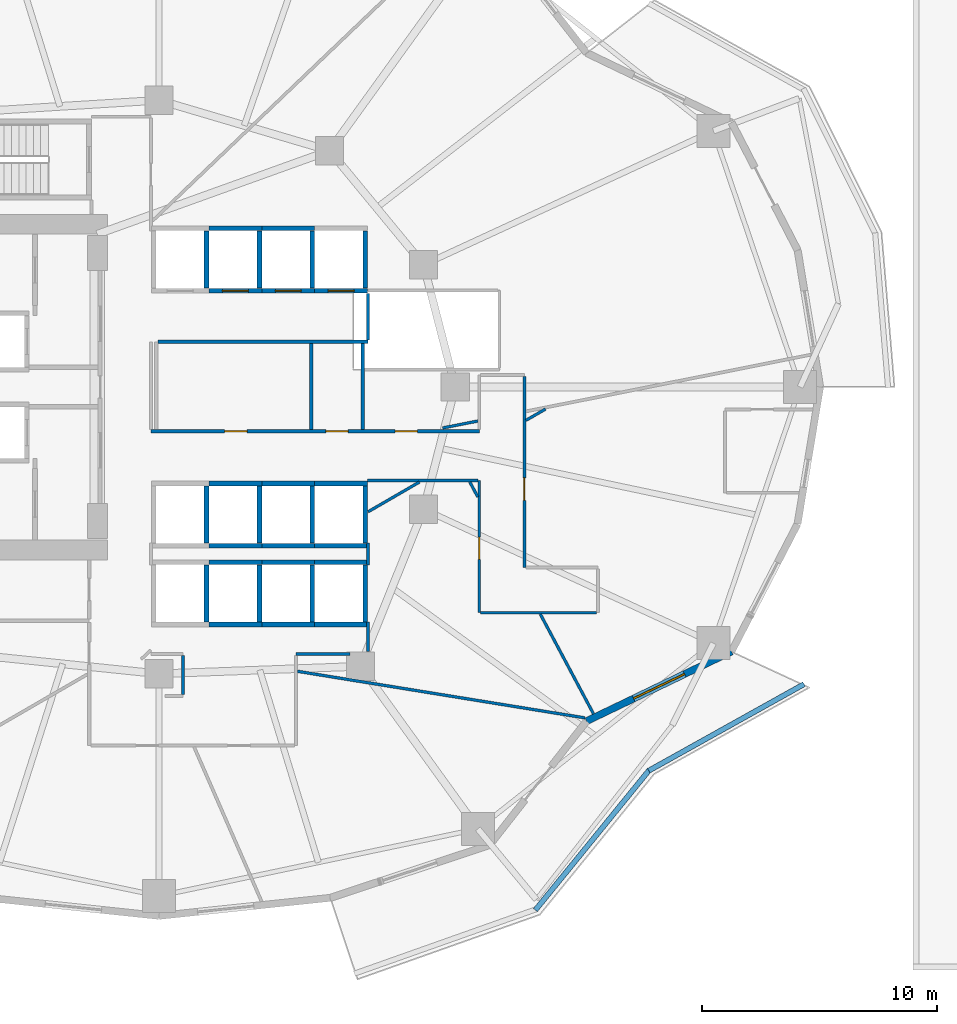
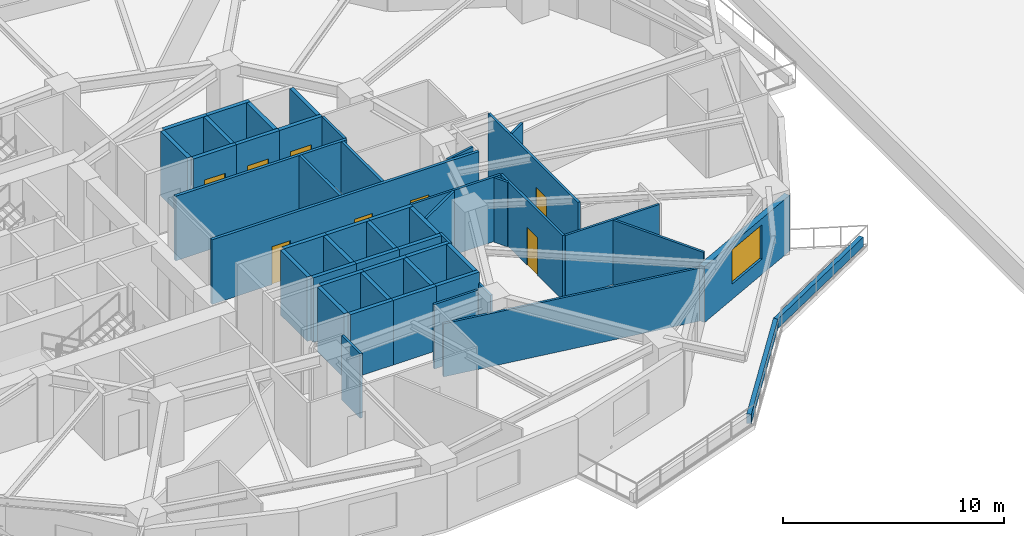
# One storey, part 5 of 13: 51 walls, 8 doors, 1 window, 9 openings.
"""IFC4 building model written with IfcOpenShell, lengths in metres."""

from ifc_helpers import new_model, si_unit, direction, frame, frame_2d, origin, place, context, subcontext, project, spatial, rectangle, extrude, material, layer, layer_set, type_object, element, fill, save


model = new_model("IFC4")

# Units and contexts
model_context = context("Model", 3, precision=1e-05, world=origin(), true_north=direction((0.0, 1.0)))
body_context = subcontext(model_context, "Body", "Model", "MODEL_VIEW")
ifc_project = project(units=[si_unit("LENGTHUNIT", "METRE"), si_unit("AREAUNIT", "SQUARE_METRE"), si_unit("VOLUMEUNIT", "CUBIC_METRE"), si_unit("PLANEANGLEUNIT", "RADIAN"), si_unit("MASSUNIT", "GRAM", prefix="KILO")], contexts=[model_context])

# Site, building, storey
site_placement = place(None, origin())
site = spatial("IfcSite", under=ifc_project, at=site_placement, CompositionType="ELEMENT")
building_placement = place(site_placement, origin())
building = spatial("IfcBuilding", under=site, at=building_placement, Name="Kolvaren Gate Tower and Convention Centre", CompositionType="ELEMENT")
storey_placement = place(building_placement, frame((0.0, 0.0, 26.5)))
storey = spatial("IfcBuildingStorey", under=building, at=storey_placement, Name="L05", CompositionType="ELEMENT", Elevation=26.5)

# Walls
ifc_material_1 = material(Name="Fire-Rated Acoustic Gypsum Stud Partition", Category="gypsum")
ifc_layer_1 = layer(ifc_material_1, 0.1201171875)
ifc_layer_set_1 = layer_set([ifc_layer_1], Name="Fire-Rated Acoustic Gypsum Stud Partition")
wall_type_1 = type_object("IfcWallType", Name="ARCH-WL-PART-120", PredefinedType="PARTITIONING", material=ifc_layer_set_1)
wall_1_placement = place(storey_placement, frame((35.949951171875, 15.64990234375, 0.0), z_axis=(0.0, 0.0, 1.0), x_axis=(1.0, 0.0, 0.0)))
element("IfcWall", 1, at=wall_1_placement, inside=storey, type_object=wall_type_1, Name="Interior Partition WL-L05-INT-018", PredefinedType="PARTITIONING", context=body_context, shape_type="SweptSolid", body=[
    extrude(rectangle(XDim=2.291015625, YDim=0.1201171875, at=frame_2d((1.1455078125, 0.0))), origin(), (0.0, 0.0, 1.0), 3.570068359375),
])
wall_2_placement = place(storey_placement, frame((39.02001953125, 15.741943359375, 0.0), z_axis=(0.0, 0.0, 1.0), x_axis=(0.0, 1.0, 0.0)))
element("IfcWall", 2, at=wall_2_placement, inside=storey, type_object=wall_type_1, Name="Interior Partition WL-L05-INT-026", PredefinedType="PARTITIONING", context=body_context, shape_type="SweptSolid", body=[
    extrude(rectangle(XDim=1.26806640625, YDim=0.1201171875, at=frame_2d((0.634033203125, 0.0))), origin(), (0.0, 0.0, 1.0), 2.93408203125),
])
wall_3_placement = place(storey_placement, frame((39.02001953125, 19.43994140625, 0.0), z_axis=(0.0, 0.0, 1.0), x_axis=(0.0, 1.0, 0.0)))
element("IfcWall", 3, at=wall_3_placement, inside=storey, type_object=wall_type_1, Name="Interior Partition WL-L05-INT-026 (2)", PredefinedType="PARTITIONING", context=body_context, shape_type="SweptSolid", body=[
    extrude(rectangle(XDim=0.920166015625, YDim=0.1201171875, at=frame_2d((0.4599609375, 0.0))), origin(), (0.0, 0.0, 1.0), 3.570068359375),
])
wall_4_placement = place(storey_placement, frame((39.02001953125, 28.9970703125, 0.0), z_axis=(0.0, 0.0, 1.0), x_axis=(0.0, 1.0, 0.0)))
element("IfcWall", 4, at=wall_4_placement, inside=storey, type_object=wall_type_1, Name="Interior Partition WL-L05-INT-027", PredefinedType="PARTITIONING", context=body_context, shape_type="SweptSolid", body=[
    extrude(rectangle(XDim=1.98291015625, YDim=0.1201171875, at=frame_2d((0.991455078125, 0.0))), origin(), (0.0, 0.0, 1.0), 3.570068359375),
])

# Wall, opening, door
wall_5_placement = place(storey_placement, frame((43.75, 17.39990234375, 0.0), z_axis=(0.0, 0.0, 1.0), x_axis=(0.0, 1.0, 0.0)))
wall_5 = element("IfcWall", 5, at=wall_5_placement, inside=storey, type_object=wall_type_1, Name="Interior Partition WL-L05-INT-028", PredefinedType="PARTITIONING", context=body_context, shape_type="SweptSolid", body=[
    extrude(rectangle(XDim=5.6201171875, YDim=0.1201171875, at=frame_2d((2.81005859375, 0.0))), origin(), (0.0, 0.0, 1.0), 3.570068359375),
])
opening_1_placement = place(wall_5_placement, frame((2.26904296875, 0.0, 0.0)))
opening_1 = element("IfcOpeningElement", 6, at=opening_1_placement, cuts=wall_5, Name="Opening DR-01", PredefinedType="OPENING", context=body_context, shape_type="SweptSolid", body=[
    extrude(rectangle(XDim=0.949951171875, YDim=2.10009765625, at=frame_2d((0.47509765625, 1.050048828125))), frame((0.0, 0.070068359375, 0.0), z_axis=(0.0, -1.0, 0.0), x_axis=(1.0, 0.0, 0.0)), (0.0, 0.0, 1.0), 0.14013671875),
])
ifc_material_2 = material(Name="Painted Architectural Steelwork ASTM A500 Grade C 345 MPa", Category="steel")
door_type_1 = type_object("IfcDoorType", Name="ARCH-DR-RISER-950", OperationType="SINGLE_SWING_RIGHT", PredefinedType="DOOR", material=ifc_material_2)
door_1_placement = place(opening_1_placement, origin())
door_1 = element("IfcDoor", 7, at=door_1_placement, inside=storey, type_object=door_type_1, Name="Tenant Cellular Office Door", OperationType="SINGLE_SWING_RIGHT", OverallHeight=2.10009765625, OverallWidth=0.949951171875, PredefinedType="DOOR", context=body_context, shape_type="SweptSolid", body=[
    extrude(rectangle(XDim=0.949951171875, YDim=2.10009765625, at=frame_2d((0.47509765625, 1.050048828125))), frame((0.0, 0.02490234375, 0.0), z_axis=(0.0, -1.0, 0.0), x_axis=(1.0, 0.0, 0.0)), (0.0, 0.0, 1.0), 0.050048828125),
])
fill(opening_1, door_1)

wall_6_placement = place(storey_placement, frame((45.669921875, 19.320068359375, 0.0), z_axis=(0.0, 0.0, 1.0), x_axis=(0.0, 1.0, 0.0)))
wall_6 = element("IfcWall", 8, at=wall_6_placement, inside=storey, type_object=wall_type_1, Name="Interior Partition WL-L05-INT-032", PredefinedType="PARTITIONING", context=body_context, shape_type="SweptSolid", body=[
    extrude(rectangle(XDim=8.1279296875, YDim=0.1201171875, at=frame_2d((4.06396484375, 0.0))), origin(), (0.0, 0.0, 1.0), 3.570068359375),
])
opening_2_placement = place(wall_6_placement, frame((2.861083984375, 0.0, 0.0)))
opening_2 = element("IfcOpeningElement", 9, at=opening_2_placement, cuts=wall_6, Name="Opening DR-01", PredefinedType="OPENING", context=body_context, shape_type="SweptSolid", body=[
    extrude(rectangle(XDim=0.949951171875, YDim=2.10009765625, at=frame_2d((0.47509765625, 1.050048828125))), frame((0.0, 0.070068359375, 0.0), z_axis=(0.0, -1.0, 0.0), x_axis=(1.0, 0.0, 0.0)), (0.0, 0.0, 1.0), 0.14013671875),
])
door_2_placement = place(opening_2_placement, origin())
door_2 = element("IfcDoor", 10, at=door_2_placement, inside=storey, type_object=door_type_1, Name="Open-Plan Office Suite Door", OperationType="SINGLE_SWING_LEFT", OverallHeight=2.10009765625, OverallWidth=0.949951171875, PredefinedType="DOOR", context=body_context, shape_type="SweptSolid", body=[
    extrude(rectangle(XDim=0.949951171875, YDim=2.10009765625, at=frame_2d((0.47509765625, 1.050048828125))), frame((0.0, 0.02490234375, 0.0), z_axis=(0.0, -1.0, 0.0), x_axis=(1.0, 0.0, 0.0)), (0.0, 0.0, 1.0), 0.050048828125),
])
fill(opening_2, door_2)

# Walls
wall_7_placement = place(storey_placement, frame((43.81201171875, 17.39990234375, 0.0), z_axis=(0.0, 0.0, 1.0), x_axis=(1.0, 0.0, 0.0)))
element("IfcWall", 11, at=wall_7_placement, inside=storey, type_object=wall_type_1, Name="Interior Partition WL-L05-INT-035", PredefinedType="PARTITIONING", context=body_context, shape_type="SweptSolid", body=[
    extrude(rectangle(XDim=4.926025390625, YDim=0.1201171875, at=frame_2d((2.462890625, 0.0))), origin(), (0.0, 0.0, 1.0), 3.570068359375),
])
wall_8_placement = place(storey_placement, frame((39.0, 23.02001953125, 0.0), z_axis=(0.0, 0.0, 1.0), x_axis=(1.0, 0.0, 0.0)))
element("IfcWall", 12, at=wall_8_placement, inside=storey, type_object=wall_type_1, Name="Interior Partition WL-L05-INT-036", PredefinedType="PARTITIONING", context=body_context, shape_type="SweptSolid", body=[
    extrude(rectangle(XDim=4.68798828125, YDim=0.1201171875, at=frame_2d((2.343994140625, 0.0))), origin(), (0.0, 0.0, 1.0), 3.570068359375),
])
wall_9_placement = place(storey_placement, frame((31.14990234375, 13.912109375, 0.0), z_axis=(0.0, 0.0, 1.0), x_axis=(0.0, 1.0, 0.0)))
element("IfcWall", 13, at=wall_9_placement, inside=storey, type_object=wall_type_1, Name="Interior Partition WL-L05-INT-039", PredefinedType="PARTITIONING", context=body_context, shape_type="SweptSolid", body=[
    extrude(rectangle(XDim=1.67578125, YDim=0.1201171875, at=frame_2d((0.837890625, 0.0))), origin(), (0.0, 0.0, 1.0), 3.570068359375),
])
wall_10_placement = place(storey_placement, frame((42.190673828125, 25.257080078125, 0.0), z_axis=(0.0, 0.0, 1.0), x_axis=(0.980752512692, 0.195254984183, 0.0)))
element("IfcWall", 14, at=wall_10_placement, inside=storey, type_object=wall_type_1, Name="Interior Partition WL-L05-INT-041", PredefinedType="PARTITIONING", context=body_context, shape_type="SweptSolid", body=[
    extrude(rectangle(XDim=1.526611328125, YDim=0.1201171875, at=frame_2d((0.76318359375, 0.0))), origin(), (0.0, 0.0, 1.0), 3.570068359375),
])
wall_11_placement = place(storey_placement, frame((39.02001953125, 21.69384765625, 0.0), z_axis=(0.0, 0.0, 1.0), x_axis=(0.865382109932, 0.501112566006, 0.0)))
element("IfcWall", 15, at=wall_11_placement, inside=storey, type_object=wall_type_1, Name="Interior Partition WL-L05-INT-044", PredefinedType="PARTITIONING", context=body_context, shape_type="SweptSolid", body=[
    extrude(rectangle(XDim=2.522705078125, YDim=0.1201171875, at=frame_2d((1.26123046875, 0.0))), origin(), (0.0, 0.0, 1.0), 3.570068359375),
])
wall_12_placement = place(storey_placement, frame((45.73193359375, 25.58056640625, 0.0), z_axis=(0.0, 0.0, 1.0), x_axis=(0.865374506058, 0.501125697071, 0.0)))
element("IfcWall", 16, at=wall_12_placement, inside=storey, type_object=wall_type_1, Name="Interior Partition WL-L05-INT-045", PredefinedType="PARTITIONING", context=body_context, shape_type="SweptSolid", body=[
    extrude(rectangle(XDim=0.968505859375, YDim=0.1201171875, at=frame_2d((0.484375, 0.0))), origin(), (0.0, 0.0, 1.0), 3.570068359375),
])
wall_13_placement = place(storey_placement, frame((36.011962890625, 14.907958984375, 0.0), z_axis=(0.0, 0.0, 1.0), x_axis=(0.987115987943, -0.16000633221, 0.0)))
element("IfcWall", 17, at=wall_13_placement, inside=storey, type_object=wall_type_1, Name="Interior Partition WL-L05-INT-050", PredefinedType="PARTITIONING", context=body_context, shape_type="SweptSolid", body=[
    extrude(rectangle(XDim=12.397216796875, YDim=0.1201171875, at=frame_2d((6.19873046875, 0.0))), origin(), (0.0, 0.0, 1.0), 2.93408203125),
])
wall_14_placement = place(storey_placement, frame((43.35009765625, 22.9580078125, 0.0), z_axis=(0.0, 0.0, 1.0), x_axis=(0.470447086679, -0.882428205938, 0.0)))
element("IfcWall", 18, at=wall_14_placement, inside=storey, type_object=wall_type_1, Name="Interior Partition WL-L05-INT-051", PredefinedType="PARTITIONING", context=body_context, shape_type="SweptSolid", body=[
    extrude(rectangle(XDim=0.71826171875, YDim=0.1201171875, at=frame_2d((0.359130859375, 0.0))), origin(), (0.0, 0.0, 1.0), 3.570068359375),
])
wall_15_placement = place(storey_placement, frame((46.346923828125, 17.337890625, 0.0), z_axis=(0.0, 0.0, 1.0), x_axis=(0.470506505613, -0.882396525478, 0.0)))
element("IfcWall", 19, at=wall_15_placement, inside=storey, type_object=wall_type_1, Name="Interior Partition WL-L05-INT-052", PredefinedType="PARTITIONING", context=body_context, shape_type="SweptSolid", body=[
    extrude(rectangle(XDim=4.806396484375, YDim=0.1201171875, at=frame_2d((2.4033203125, 0.0))), origin(), (0.0, 0.0, 1.0), 3.570068359375),
])
ifc_material_3 = material(Name="Piedmont Cream Honed Limestone Cladding", Category="masonry")
ifc_layer_2 = layer(ifc_material_3, 0.219970703125)
ifc_layer_set_2 = layer_set([ifc_layer_2], Name="Piedmont Cream Honed Limestone Cladding")
wall_type_2 = type_object("IfcWallType", Name="ARCH-WL-PLANTER-220", PredefinedType="PARAPET", material=ifc_layer_set_2)
wall_16_placement = place(storey_placement, frame((46.1357421875, 4.748779296875, 0.0), z_axis=(0.0, 0.0, 1.0), x_axis=(0.630997450658, 0.775784903993, 0.0)))
element("IfcWall", 20, at=wall_16_placement, inside=storey, type_object=wall_type_2, Name="Vertical-Forest Balcony Stone Planter Kerb PK-L05-4.2", PredefinedType="PARAPET", context=body_context, shape_type="SweptSolid", body=[
    extrude(rectangle(XDim=7.7177734375, YDim=0.219970703125, at=frame_2d((3.85888671875, 0.0))), origin(), (0.0, 0.0, 1.0), 0.52001953125),
])
wall_17_placement = place(storey_placement, frame((50.959228515625, 10.677978515625, 0.0), z_axis=(0.0, 0.0, 1.0), x_axis=(0.873500119739, 0.48682393205, 0.0)))
element("IfcWall", 21, at=wall_17_placement, inside=storey, type_object=wall_type_2, Name="Vertical-Forest Balcony Stone Planter Kerb PK-L05-4.3", PredefinedType="PARAPET", context=body_context, shape_type="SweptSolid", body=[
    extrude(rectangle(XDim=7.56201171875, YDim=0.219970703125, at=frame_2d((3.781005859375, 0.0))), origin(), (0.0, 0.0, 1.0), 0.52001953125),
])
ifc_material_4 = material(Name="Autoclaved Aerated Masonry Blockwork Class 4 (4.0 MPa)", Category="masonry")
ifc_layer_3 = layer(ifc_material_4, 0.199951171875)
ifc_layer_set_3 = layer_set([ifc_layer_3], Name="Autoclaved Aerated Masonry Blockwork Class 4 (4.0 MPa)")
wall_type_3 = type_object("IfcWallType", Name="ARCH-WL-SHAFT-200", PredefinedType="SOLIDWALL", material=ifc_layer_set_3)
wall_18_placement = place(storey_placement, frame((32.14990234375, 31.2099609375, 0.0), z_axis=(0.0, 0.0, 1.0), x_axis=(0.0, 1.0, 0.0)))
element("IfcWall", 22, at=wall_18_placement, inside=storey, type_object=wall_type_3, Name="Elevator PL-01 L05 Fire Shaft Wall E", PredefinedType="SOLIDWALL", context=body_context, shape_type="SweptSolid", body=[
    extrude(rectangle(XDim=2.429931640625, YDim=0.199951171875, at=frame_2d((1.21484375, 0.0))), origin(), (0.0, 0.0, 1.0), 3.570068359375),
])
wall_19_placement = place(storey_placement, frame((32.25, 33.75, 0.0), z_axis=(0.0, 0.0, 1.0), x_axis=(1.0, 0.0, 0.0)))
element("IfcWall", 23, at=wall_19_placement, inside=storey, type_object=wall_type_3, Name="Elevator PL-02 L05 Fire Shaft Wall N", PredefinedType="SOLIDWALL", context=body_context, shape_type="SweptSolid", body=[
    extrude(rectangle(XDim=2.25, YDim=0.199951171875, at=frame_2d((1.125, 0.0))), origin(), (0.0, 0.0, 1.0), 3.570068359375),
])

# Wall, opening, door
wall_20_placement = place(storey_placement, frame((32.25, 31.10009765625, 0.0), z_axis=(0.0, 0.0, 1.0), x_axis=(1.0, 0.0, 0.0)))
wall_20 = element("IfcWall", 24, at=wall_20_placement, inside=storey, type_object=wall_type_3, Name="Elevator PL-02 L05 Fire Shaft Wall S", PredefinedType="SOLIDWALL", context=body_context, shape_type="SweptSolid", body=[
    extrude(rectangle(XDim=2.25, YDim=0.199951171875, at=frame_2d((1.125, 0.0))), origin(), (0.0, 0.0, 1.0), 3.570068359375),
])
opening_3_placement = place(wall_20_placement, frame((0.574951171875, 0.0, 0.0)))
opening_3 = element("IfcOpeningElement", 25, at=opening_3_placement, cuts=wall_20, Name="Opening LD", PredefinedType="OPENING", context=body_context, shape_type="SweptSolid", body=[
    extrude(rectangle(XDim=1.10009765625, YDim=2.199951171875, at=frame_2d((0.550048828125, 1.10009765625))), frame((0.0, 0.10986328125, 0.0), z_axis=(0.0, -1.0, 0.0), x_axis=(1.0, 0.0, 0.0)), (0.0, 0.0, 1.0), 0.219970703125),
])
ifc_material_5 = material(Name="Brushed Stainless Steel Grade 316L", Category="steel")
door_type_2 = type_object("IfcDoorType", Name="ARCH-DR-LIFT-1100", OperationType="SLIDING_TO_LEFT", PredefinedType="DOOR", material=ifc_material_5)
door_3_placement = place(opening_3_placement, origin())
door_3 = element("IfcDoor", 26, at=door_3_placement, inside=storey, type_object=door_type_2, Name="Elevator PL-02 L05 Sliding Landing Door", OperationType="SLIDING_TO_LEFT", OverallHeight=2.199951171875, OverallWidth=1.10009765625, PredefinedType="DOOR", context=body_context, shape_type="SweptSolid", body=[
    extrude(rectangle(XDim=1.10009765625, YDim=2.199951171875, at=frame_2d((0.550048828125, 1.10009765625))), frame((0.0, 0.02490234375, 0.0), z_axis=(0.0, -1.0, 0.0), x_axis=(1.0, 0.0, 0.0)), (0.0, 0.0, 1.0), 0.050048828125),
])
fill(opening_3, door_3)

# Walls
wall_21_placement = place(storey_placement, frame((34.39990234375, 31.2099609375, 0.0), z_axis=(0.0, 0.0, 1.0), x_axis=(0.0, 1.0, 0.0)))
element("IfcWall", 27, at=wall_21_placement, inside=storey, type_object=wall_type_3, Name="Elevator PL-02 L05 Fire Shaft Wall E", PredefinedType="SOLIDWALL", context=body_context, shape_type="SweptSolid", body=[
    extrude(rectangle(XDim=2.429931640625, YDim=0.199951171875, at=frame_2d((1.21484375, 0.0))), origin(), (0.0, 0.0, 1.0), 3.570068359375),
])
wall_22_placement = place(storey_placement, frame((34.5, 33.75, 0.0), z_axis=(0.0, 0.0, 1.0), x_axis=(1.0, 0.0, 0.0)))
element("IfcWall", 28, at=wall_22_placement, inside=storey, type_object=wall_type_3, Name="Elevator PL-03 L05 Fire Shaft Wall N", PredefinedType="SOLIDWALL", context=body_context, shape_type="SweptSolid", body=[
    extrude(rectangle(XDim=2.25, YDim=0.199951171875, at=frame_2d((1.125, 0.0))), origin(), (0.0, 0.0, 1.0), 3.570068359375),
])

# Wall, opening, door
wall_23_placement = place(storey_placement, frame((34.5, 31.10009765625, 0.0), z_axis=(0.0, 0.0, 1.0), x_axis=(1.0, 0.0, 0.0)))
wall_23 = element("IfcWall", 29, at=wall_23_placement, inside=storey, type_object=wall_type_3, Name="Elevator PL-03 L05 Fire Shaft Wall S", PredefinedType="SOLIDWALL", context=body_context, shape_type="SweptSolid", body=[
    extrude(rectangle(XDim=2.25, YDim=0.199951171875, at=frame_2d((1.125, 0.0))), origin(), (0.0, 0.0, 1.0), 3.570068359375),
])
opening_4_placement = place(wall_23_placement, frame((0.574951171875, 0.0, 0.0)))
opening_4 = element("IfcOpeningElement", 30, at=opening_4_placement, cuts=wall_23, Name="Opening LD", PredefinedType="OPENING", context=body_context, shape_type="SweptSolid", body=[
    extrude(rectangle(XDim=1.10009765625, YDim=2.199951171875, at=frame_2d((0.550048828125, 1.10009765625))), frame((0.0, 0.10986328125, 0.0), z_axis=(0.0, -1.0, 0.0), x_axis=(1.0, 0.0, 0.0)), (0.0, 0.0, 1.0), 0.219970703125),
])
door_4_placement = place(opening_4_placement, origin())
door_4 = element("IfcDoor", 31, at=door_4_placement, inside=storey, type_object=door_type_2, Name="Elevator PL-03 L05 Sliding Landing Door", OperationType="SLIDING_TO_LEFT", OverallHeight=2.199951171875, OverallWidth=1.10009765625, PredefinedType="DOOR", context=body_context, shape_type="SweptSolid", body=[
    extrude(rectangle(XDim=1.10009765625, YDim=2.199951171875, at=frame_2d((0.550048828125, 1.10009765625))), frame((0.0, 0.02490234375, 0.0), z_axis=(0.0, -1.0, 0.0), x_axis=(1.0, 0.0, 0.0)), (0.0, 0.0, 1.0), 0.050048828125),
])
fill(opening_4, door_4)

# Wall
wall_24_placement = place(storey_placement, frame((36.64990234375, 31.2099609375, 0.0), z_axis=(0.0, 0.0, 1.0), x_axis=(0.0, 1.0, 0.0)))
element("IfcWall", 32, at=wall_24_placement, inside=storey, type_object=wall_type_3, Name="Elevator PL-03 L05 Fire Shaft Wall E", PredefinedType="SOLIDWALL", context=body_context, shape_type="SweptSolid", body=[
    extrude(rectangle(XDim=2.429931640625, YDim=0.199951171875, at=frame_2d((1.21484375, 0.0))), origin(), (0.0, 0.0, 1.0), 3.570068359375),
])

# Wall, opening, door
wall_25_placement = place(storey_placement, frame((36.75, 31.10009765625, 0.0), z_axis=(0.0, 0.0, 1.0), x_axis=(1.0, 0.0, 0.0)))
wall_25 = element("IfcWall", 33, at=wall_25_placement, inside=storey, type_object=wall_type_3, Name="Elevator PL-04 L05 Fire Shaft Wall S", PredefinedType="SOLIDWALL", context=body_context, shape_type="SweptSolid", body=[
    extrude(rectangle(XDim=2.25, YDim=0.199951171875, at=frame_2d((1.125, 0.0))), origin(), (0.0, 0.0, 1.0), 3.570068359375),
])
opening_5_placement = place(wall_25_placement, frame((0.574951171875, 0.0, 0.0)))
opening_5 = element("IfcOpeningElement", 34, at=opening_5_placement, cuts=wall_25, Name="Opening LD", PredefinedType="OPENING", context=body_context, shape_type="SweptSolid", body=[
    extrude(rectangle(XDim=1.10009765625, YDim=2.199951171875, at=frame_2d((0.550048828125, 1.10009765625))), frame((0.0, 0.10986328125, 0.0), z_axis=(0.0, -1.0, 0.0), x_axis=(1.0, 0.0, 0.0)), (0.0, 0.0, 1.0), 0.219970703125),
])
door_5_placement = place(opening_5_placement, origin())
door_5 = element("IfcDoor", 35, at=door_5_placement, inside=storey, type_object=door_type_2, Name="Elevator PL-04 L05 Sliding Landing Door", OperationType="SLIDING_TO_LEFT", OverallHeight=2.199951171875, OverallWidth=1.10009765625, PredefinedType="DOOR", context=body_context, shape_type="SweptSolid", body=[
    extrude(rectangle(XDim=1.10009765625, YDim=2.199951171875, at=frame_2d((0.550048828125, 1.10009765625))), frame((0.0, 0.02490234375, 0.0), z_axis=(0.0, -1.0, 0.0), x_axis=(1.0, 0.0, 0.0)), (0.0, 0.0, 1.0), 0.050048828125),
])
fill(opening_5, door_5)

# Walls
for number, where, z_axis, x_axis, name in (
    (36, (38.89990234375, 31.2099609375, 0.0), (0.0, 0.0, 1.0), (0.0, 1.0, 0.0), "Elevator PL-04 L05 Fire Shaft Wall E"),
    (37, (32.14990234375, 17.010009765625, 0.0), (0.0, 0.0, 1.0), (0.0, 1.0, 0.0), "Elevator PL-05 L05 Fire Shaft Wall E"),
):
    element("IfcWall", number, at=place(storey_placement, frame(where, z_axis=z_axis, x_axis=x_axis)), inside=storey, type_object=wall_type_3, Name=name, PredefinedType="SOLIDWALL", context=body_context, shape_type="SweptSolid", body=[
        extrude(rectangle(XDim=2.429931640625, YDim=0.199951171875, at=frame_2d((1.21484375, 0.0))), origin(), (0.0, 0.0, 1.0), 3.570068359375),
    ])
for number, where, z_axis, x_axis, name in (
    (38, (32.25, 19.550048828125, 0.0), (0.0, 0.0, 1.0), (1.0, 0.0, 0.0), "Elevator PL-06 L05 Fire Shaft Wall N"),
    (39, (32.25, 16.89990234375, 0.0), (0.0, 0.0, 1.0), (1.0, 0.0, 0.0), "Elevator PL-06 L05 Fire Shaft Wall S"),
):
    element("IfcWall", number, at=place(storey_placement, frame(where, z_axis=z_axis, x_axis=x_axis)), inside=storey, type_object=wall_type_3, Name=name, PredefinedType="SOLIDWALL", context=body_context, shape_type="SweptSolid", body=[
        extrude(rectangle(XDim=2.25, YDim=0.199951171875, at=frame_2d((1.125, 0.0))), origin(), (0.0, 0.0, 1.0), 3.570068359375),
    ])
wall_26_placement = place(storey_placement, frame((34.39990234375, 17.010009765625, 0.0), z_axis=(0.0, 0.0, 1.0), x_axis=(0.0, 1.0, 0.0)))
element("IfcWall", 40, at=wall_26_placement, inside=storey, type_object=wall_type_3, Name="Elevator PL-06 L05 Fire Shaft Wall E", PredefinedType="SOLIDWALL", context=body_context, shape_type="SweptSolid", body=[
    extrude(rectangle(XDim=2.429931640625, YDim=0.199951171875, at=frame_2d((1.21484375, 0.0))), origin(), (0.0, 0.0, 1.0), 3.570068359375),
])
for number, where, z_axis, x_axis, name in (
    (41, (34.5, 19.550048828125, 0.0), (0.0, 0.0, 1.0), (1.0, 0.0, 0.0), "Elevator PL-07 L05 Fire Shaft Wall N"),
    (42, (34.5, 16.89990234375, 0.0), (0.0, 0.0, 1.0), (1.0, 0.0, 0.0), "Elevator PL-07 L05 Fire Shaft Wall S"),
):
    element("IfcWall", number, at=place(storey_placement, frame(where, z_axis=z_axis, x_axis=x_axis)), inside=storey, type_object=wall_type_3, Name=name, PredefinedType="SOLIDWALL", context=body_context, shape_type="SweptSolid", body=[
        extrude(rectangle(XDim=2.25, YDim=0.199951171875, at=frame_2d((1.125, 0.0))), origin(), (0.0, 0.0, 1.0), 3.570068359375),
    ])
wall_27_placement = place(storey_placement, frame((36.64990234375, 17.010009765625, 0.0), z_axis=(0.0, 0.0, 1.0), x_axis=(0.0, 1.0, 0.0)))
element("IfcWall", 43, at=wall_27_placement, inside=storey, type_object=wall_type_3, Name="Elevator PL-07 L05 Fire Shaft Wall E", PredefinedType="SOLIDWALL", context=body_context, shape_type="SweptSolid", body=[
    extrude(rectangle(XDim=2.429931640625, YDim=0.199951171875, at=frame_2d((1.21484375, 0.0))), origin(), (0.0, 0.0, 1.0), 3.570068359375),
])
for number, where, z_axis, x_axis, name in (
    (44, (36.75, 19.550048828125, 0.0), (0.0, 0.0, 1.0), (1.0, 0.0, 0.0), "Elevator PL-08 L05 Fire Shaft Wall N"),
    (45, (36.75, 16.89990234375, 0.0), (0.0, 0.0, 1.0), (1.0, 0.0, 0.0), "Elevator PL-08 L05 Fire Shaft Wall S"),
):
    element("IfcWall", number, at=place(storey_placement, frame(where, z_axis=z_axis, x_axis=x_axis)), inside=storey, type_object=wall_type_3, Name=name, PredefinedType="SOLIDWALL", context=body_context, shape_type="SweptSolid", body=[
        extrude(rectangle(XDim=2.25, YDim=0.199951171875, at=frame_2d((1.125, 0.0))), origin(), (0.0, 0.0, 1.0), 3.570068359375),
    ])
for number, where, z_axis, x_axis, name in (
    (46, (38.89990234375, 17.010009765625, 0.0), (0.0, 0.0, 1.0), (0.0, 1.0, 0.0), "Elevator PL-08 L05 Fire Shaft Wall E"),
    (47, (32.14990234375, 20.360107421875, 0.0), (0.0, 0.0, 1.0), (0.0, 1.0, 0.0), "Elevator PL-09 L05 Fire Shaft Wall E"),
):
    element("IfcWall", number, at=place(storey_placement, frame(where, z_axis=z_axis, x_axis=x_axis)), inside=storey, type_object=wall_type_3, Name=name, PredefinedType="SOLIDWALL", context=body_context, shape_type="SweptSolid", body=[
        extrude(rectangle(XDim=2.429931640625, YDim=0.199951171875, at=frame_2d((1.21484375, 0.0))), origin(), (0.0, 0.0, 1.0), 3.570068359375),
    ])
for number, where, z_axis, x_axis, name in (
    (48, (32.25, 22.89990234375, 0.0), (0.0, 0.0, 1.0), (1.0, 0.0, 0.0), "Elevator PL-10 L05 Fire Shaft Wall N"),
    (49, (32.25, 20.25, 0.0), (0.0, 0.0, 1.0), (1.0, 0.0, 0.0), "Elevator PL-10 L05 Fire Shaft Wall S"),
):
    element("IfcWall", number, at=place(storey_placement, frame(where, z_axis=z_axis, x_axis=x_axis)), inside=storey, type_object=wall_type_3, Name=name, PredefinedType="SOLIDWALL", context=body_context, shape_type="SweptSolid", body=[
        extrude(rectangle(XDim=2.25, YDim=0.199951171875, at=frame_2d((1.125, 0.0))), origin(), (0.0, 0.0, 1.0), 3.570068359375),
    ])
wall_28_placement = place(storey_placement, frame((34.39990234375, 20.360107421875, 0.0), z_axis=(0.0, 0.0, 1.0), x_axis=(0.0, 1.0, 0.0)))
element("IfcWall", 50, at=wall_28_placement, inside=storey, type_object=wall_type_3, Name="Elevator PL-10 L05 Fire Shaft Wall E", PredefinedType="SOLIDWALL", context=body_context, shape_type="SweptSolid", body=[
    extrude(rectangle(XDim=2.429931640625, YDim=0.199951171875, at=frame_2d((1.21484375, 0.0))), origin(), (0.0, 0.0, 1.0), 3.570068359375),
])
for number, where, z_axis, x_axis, name in (
    (51, (34.5, 22.89990234375, 0.0), (0.0, 0.0, 1.0), (1.0, 0.0, 0.0), "Elevator PL-11 L05 Fire Shaft Wall N"),
    (52, (34.5, 20.25, 0.0), (0.0, 0.0, 1.0), (1.0, 0.0, 0.0), "Elevator PL-11 L05 Fire Shaft Wall S"),
):
    element("IfcWall", number, at=place(storey_placement, frame(where, z_axis=z_axis, x_axis=x_axis)), inside=storey, type_object=wall_type_3, Name=name, PredefinedType="SOLIDWALL", context=body_context, shape_type="SweptSolid", body=[
        extrude(rectangle(XDim=2.25, YDim=0.199951171875, at=frame_2d((1.125, 0.0))), origin(), (0.0, 0.0, 1.0), 3.570068359375),
    ])
wall_29_placement = place(storey_placement, frame((36.64990234375, 20.360107421875, 0.0), z_axis=(0.0, 0.0, 1.0), x_axis=(0.0, 1.0, 0.0)))
element("IfcWall", 53, at=wall_29_placement, inside=storey, type_object=wall_type_3, Name="Elevator PL-11 L05 Fire Shaft Wall E", PredefinedType="SOLIDWALL", context=body_context, shape_type="SweptSolid", body=[
    extrude(rectangle(XDim=2.429931640625, YDim=0.199951171875, at=frame_2d((1.21484375, 0.0))), origin(), (0.0, 0.0, 1.0), 3.570068359375),
])
for number, where, z_axis, x_axis, name in (
    (54, (36.75, 22.89990234375, 0.0), (0.0, 0.0, 1.0), (1.0, 0.0, 0.0), "Elevator PL-12 L05 Fire Shaft Wall N"),
    (55, (36.75, 20.25, 0.0), (0.0, 0.0, 1.0), (1.0, 0.0, 0.0), "Elevator PL-12 L05 Fire Shaft Wall S"),
):
    element("IfcWall", number, at=place(storey_placement, frame(where, z_axis=z_axis, x_axis=x_axis)), inside=storey, type_object=wall_type_3, Name=name, PredefinedType="SOLIDWALL", context=body_context, shape_type="SweptSolid", body=[
        extrude(rectangle(XDim=2.25, YDim=0.199951171875, at=frame_2d((1.125, 0.0))), origin(), (0.0, 0.0, 1.0), 3.570068359375),
    ])
wall_30_placement = place(storey_placement, frame((38.89990234375, 20.360107421875, 0.0), z_axis=(0.0, 0.0, 1.0), x_axis=(0.0, 1.0, 0.0)))
element("IfcWall", 56, at=wall_30_placement, inside=storey, type_object=wall_type_3, Name="Elevator PL-12 L05 Fire Shaft Wall E", PredefinedType="SOLIDWALL", context=body_context, shape_type="SweptSolid", body=[
    extrude(rectangle(XDim=2.429931640625, YDim=0.199951171875, at=frame_2d((1.21484375, 0.0))), origin(), (0.0, 0.0, 1.0), 3.570068359375),
])

# Wall, opening, window
ifc_layer_4 = layer(ifc_material_3, 0.300048828125)
ifc_layer_set_4 = layer_set([ifc_layer_4], Name="Piedmont Cream Honed Limestone Cladding")
wall_type_4 = type_object("IfcWallType", Name="ARCH-WL-STONE-300", PredefinedType="SOLIDWALL", material=ifc_layer_set_4)
wall_31_placement = place(storey_placement, frame((48.315185546875, 12.787109375, 0.0), z_axis=(0.0, 0.0, 1.0), x_axis=(0.901360393999, 0.433069786673, 0.0)))
wall_31 = element("IfcWall", 57, at=wall_31_placement, inside=storey, type_object=wall_type_4, Name="Tower L05 Honed Stone Spandrel Wall EW-21", PredefinedType="SOLIDWALL", context=body_context, shape_type="SweptSolid", body=[
    extrude(rectangle(XDim=6.841552734375, YDim=0.300048828125, at=frame_2d((3.4208984375, 0.0))), origin(), (0.0, 0.0, 1.0), 3.093017578125),
])
opening_6_placement = place(wall_31_placement, frame((2.220947265625, 0.0, 0.85009765625)))
opening_6 = element("IfcOpeningElement", 58, at=opening_6_placement, cuts=wall_31, Name="Opening W-01", PredefinedType="OPENING", context=body_context, shape_type="SweptSolid", body=[
    extrude(rectangle(XDim=2.39990234375, YDim=1.89990234375, at=frame_2d((1.199951171875, 0.949951171875))), frame((0.0, 0.159912109375, 0.0), z_axis=(0.0, -1.0, 0.0), x_axis=(1.0, 0.0, 0.0)), (0.0, 0.0, 1.0), 0.320068359375),
])
ifc_material_6 = material(Name="Low-E Triple Insulated Glazing Unit 44 mm", Category="glass")
window_type = type_object("IfcWindowType", Name="ARCH-WN-OFF-2400", PartitioningType="SINGLE_PANEL", PredefinedType="WINDOW", material=ifc_material_6)
window_placement = place(opening_6_placement, origin())
window = element("IfcWindow", 59, at=window_placement, inside=storey, type_object=window_type, Name="Tower L05 Punched Stone Facade Window W-21", OverallHeight=1.89990234375, OverallWidth=2.39990234375, PartitioningType="SINGLE_PANEL", PredefinedType="WINDOW", context=body_context, shape_type="SweptSolid", body=[
    extrude(rectangle(XDim=2.39990234375, YDim=1.89990234375, at=frame_2d((1.199951171875, 0.949951171875))), frame((0.0, 0.030029296875, 0.0), z_axis=(0.0, -1.0, 0.0), x_axis=(1.0, 0.0, 0.0)), (0.0, 0.0, 1.0), 0.06005859375),
])
fill(opening_6, window)

# Wall, openings, doors
ifc_material_7 = material(Name="Moisture-Resistant Cement-Board Acoustic Partition", Category="gypsum")
ifc_layer_5 = layer(ifc_material_7, 0.14990234375)
ifc_layer_set_5 = layer_set([ifc_layer_5], Name="Moisture-Resistant Cement-Board Acoustic Partition")
wall_type_5 = type_object("IfcWallType", Name="ARCH-WL-WET-150", PredefinedType="PARTITIONING", material=ifc_layer_set_5)
wall_32_placement = place(storey_placement, frame((29.780029296875, 25.1201171875, 0.0), z_axis=(0.0, 0.0, 1.0), x_axis=(1.0, 0.0, 0.0)))
wall_32 = element("IfcWall", 60, at=wall_32_placement, inside=storey, type_object=wall_type_5, Name="Interior Partition WL-L05-INT-012", PredefinedType="PARTITIONING", context=body_context, shape_type="SweptSolid", body=[
    extrude(rectangle(XDim=13.969970703125, YDim=0.14990234375, at=frame_2d((6.98486328125, 0.0))), origin(), (0.0, 0.0, 1.0), 3.570068359375),
])
opening_7_placement = place(wall_32_placement, frame((3.139892578125, 0.0, 0.0)))
opening_7 = element("IfcOpeningElement", 61, at=opening_7_placement, cuts=wall_32, Name="Opening DR-01", PredefinedType="OPENING", context=body_context, shape_type="SweptSolid", body=[
    extrude(rectangle(XDim=0.949951171875, YDim=2.10009765625, at=frame_2d((0.47509765625, 1.050048828125))), frame((0.0, 0.0849609375, 0.0), z_axis=(0.0, -1.0, 0.0), x_axis=(1.0, 0.0, 0.0)), (0.0, 0.0, 1.0), 0.169921875),
])
opening_8_placement = place(wall_32_placement, frame((7.445068359375, 0.0, 0.0)))
opening_8 = element("IfcOpeningElement", 62, at=opening_8_placement, cuts=wall_32, Name="Opening DR-01", PredefinedType="OPENING", context=body_context, shape_type="SweptSolid", body=[
    extrude(rectangle(XDim=0.949951171875, YDim=2.10009765625, at=frame_2d((0.47509765625, 1.050048828125))), frame((0.0, 0.0849609375, 0.0), z_axis=(0.0, -1.0, 0.0), x_axis=(1.0, 0.0, 0.0)), (0.0, 0.0, 1.0), 0.169921875),
])
opening_9_placement = place(wall_32_placement, frame((10.389404296875, 0.0, 0.0)))
opening_9 = element("IfcOpeningElement", 63, at=opening_9_placement, cuts=wall_32, Name="Opening DR-01", PredefinedType="OPENING", context=body_context, shape_type="SweptSolid", body=[
    extrude(rectangle(XDim=0.949951171875, YDim=2.10009765625, at=frame_2d((0.47509765625, 1.050048828125))), frame((0.0, 0.0849609375, 0.0), z_axis=(0.0, -1.0, 0.0), x_axis=(1.0, 0.0, 0.0)), (0.0, 0.0, 1.0), 0.169921875),
])
door_6_placement = place(opening_7_placement, origin())
door_6 = element("IfcDoor", 64, at=door_6_placement, inside=storey, type_object=door_type_1, Name="Accessible Universal Washroom Door", OperationType="SINGLE_SWING_LEFT", OverallHeight=2.10009765625, OverallWidth=0.949951171875, PredefinedType="DOOR", context=body_context, shape_type="SweptSolid", body=[
    extrude(rectangle(XDim=0.949951171875, YDim=2.10009765625, at=frame_2d((0.47509765625, 1.050048828125))), frame((0.0, 0.02490234375, 0.0), z_axis=(0.0, -1.0, 0.0), x_axis=(1.0, 0.0, 0.0)), (0.0, 0.0, 1.0), 0.050048828125),
])
fill(opening_7, door_6)
door_7_placement = place(opening_8_placement, origin())
door_7 = element("IfcDoor", 65, at=door_7_placement, inside=storey, type_object=door_type_1, Name="Floor Janitor and Supply Store Door", OperationType="SINGLE_SWING_RIGHT", OverallHeight=2.10009765625, OverallWidth=0.949951171875, PredefinedType="DOOR", context=body_context, shape_type="SweptSolid", body=[
    extrude(rectangle(XDim=0.949951171875, YDim=2.10009765625, at=frame_2d((0.47509765625, 1.050048828125))), frame((0.0, 0.02490234375, 0.0), z_axis=(0.0, -1.0, 0.0), x_axis=(1.0, 0.0, 0.0)), (0.0, 0.0, 1.0), 0.050048828125),
])
fill(opening_8, door_7)
door_8_placement = place(opening_9_placement, origin())
door_8 = element("IfcDoor", 66, at=door_8_placement, inside=storey, type_object=door_type_1, Name="Staff Dining and Bistro Cafe Door", OperationType="SINGLE_SWING_RIGHT", OverallHeight=2.10009765625, OverallWidth=0.949951171875, PredefinedType="DOOR", context=body_context, shape_type="SweptSolid", body=[
    extrude(rectangle(XDim=0.949951171875, YDim=2.10009765625, at=frame_2d((0.47509765625, 1.050048828125))), frame((0.0, 0.02490234375, 0.0), z_axis=(0.0, -1.0, 0.0), x_axis=(1.0, 0.0, 0.0)), (0.0, 0.0, 1.0), 0.050048828125),
])
fill(opening_9, door_8)

# Walls
wall_33_placement = place(storey_placement, frame((30.076904296875, 28.919921875, 0.0), z_axis=(0.0, 0.0, 1.0), x_axis=(1.0, 0.0, 0.0)))
element("IfcWall", 67, at=wall_33_placement, inside=storey, type_object=wall_type_5, Name="Interior Partition WL-L05-INT-014", PredefinedType="PARTITIONING", context=body_context, shape_type="SweptSolid", body=[
    extrude(rectangle(XDim=8.943115234375, YDim=0.14990234375, at=frame_2d((4.4716796875, 0.0))), origin(), (0.0, 0.0, 1.0), 3.570068359375),
])
for number, where, z_axis, x_axis, name in (
    (68, (36.60009765625, 25.197021484375, 0.0), (0.0, 0.0, 1.0), (0.0, 1.0, 0.0), "Interior Partition WL-L05-INT-015"),
    (69, (38.800048828125, 25.197021484375, 0.0), (0.0, 0.0, 1.0), (0.0, 1.0, 0.0), "Interior Partition WL-L05-INT-016"),
):
    element("IfcWall", number, at=place(storey_placement, frame(where, z_axis=z_axis, x_axis=x_axis)), inside=storey, type_object=wall_type_5, Name=name, PredefinedType="PARTITIONING", context=body_context, shape_type="SweptSolid", body=[
        extrude(rectangle(XDim=3.64599609375, YDim=0.14990234375, at=frame_2d((1.822998046875, 0.0))), origin(), (0.0, 0.0, 1.0), 3.570068359375),
    ])

save(model, "model.ifc")
